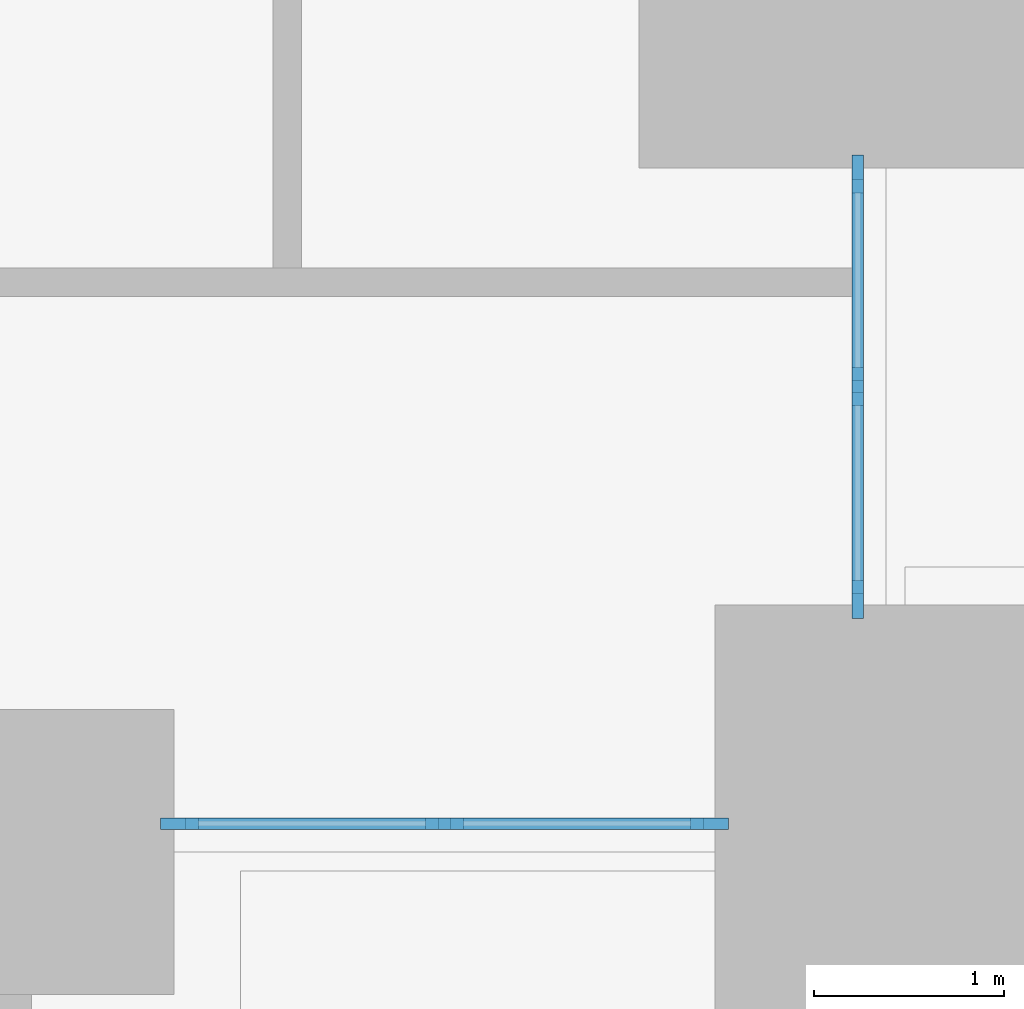
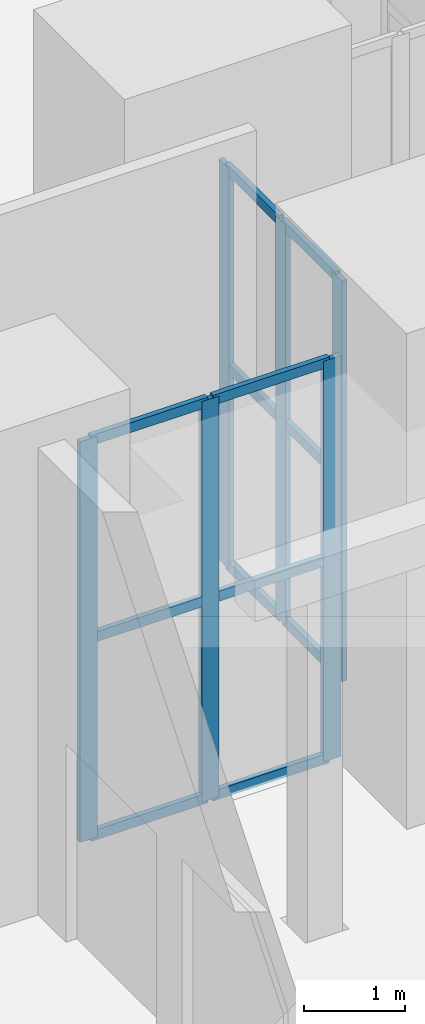
# One storey, part 4 of 47: 18 members, 2 elements without a shape of their own.
"""IFC4 building model written with IfcOpenShell, lengths in metres."""

from ifc_helpers import new_model, si_unit, direction, frame, origin, origin_2d, place, context, subcontext, project, spatial, rectangle, extrude, material, material_profile, profile_set, type_object, element, aggregate, save


model = new_model("IFC4")

# Units and contexts
model_context = context("Model", 3, precision=1e-05, world=origin(), true_north=direction((0.0, 1.0)))
body_context = subcontext(model_context, "Body", "Model", "MODEL_VIEW")
ifc_project = project(units=[si_unit("LENGTHUNIT", "METRE"), si_unit("AREAUNIT", "SQUARE_METRE"), si_unit("VOLUMEUNIT", "CUBIC_METRE"), si_unit("PLANEANGLEUNIT", "RADIAN"), si_unit("MASSUNIT", "GRAM", prefix="KILO")], contexts=[model_context])

# Site, building, storey
site_placement = place(None, origin())
site = spatial("IfcSite", under=ifc_project, at=site_placement, CompositionType="ELEMENT")
building_placement = place(site_placement, origin())
building = spatial("IfcBuilding", under=site, at=building_placement, Name="Hunhe Ridgeline Campus", CompositionType="ELEMENT")
storey_placement = place(building_placement, origin())
storey = spatial("IfcBuildingStorey", under=building, at=storey_placement, Name="L00", CompositionType="ELEMENT", Elevation=0.0)

# Curtain wall, members
ifc_material_1 = material(Name="Aluminium and glass", Category="aluminium")
curtain_wall_type = type_object("IfcCurtainWallType", Name="Podium curtain wall CW-2", PredefinedType="NOTDEFINED", material=ifc_material_1)
curtain_wall_1_placement = place(storey_placement, origin())
curtain_wall_1 = element("IfcCurtainWall", 1, at=curtain_wall_1_placement, inside=storey, type_object=curtain_wall_type, Name="L00 podium curtain wall 1", PredefinedType="NOTDEFINED")
ifc_material_2 = material(Name="Aluminium", Category="aluminium")
ifc_material_profile_1 = material_profile(ifc_material_2, rectangle(XDim=0.06005859375, YDim=0.199951171875, at=origin_2d()))
ifc_profile_set_1 = profile_set([ifc_material_profile_1], Name="Aluminium")
member_type_1 = type_object("IfcMemberType", Name="CW-2 mullion 60x200", PredefinedType="MULLION", material=ifc_profile_set_1)
member_1_placement = place(storey_placement, frame((90.780029296875, 54.14990234375, 0.0), z_axis=(0.0, 0.0, 1.0), x_axis=(0.0, 1.0, 0.0)))
member_1 = element("IfcMember", 2, at=member_1_placement, type_object=member_type_1, Name="CW2 mullion 1", PredefinedType="MULLION", context=body_context, shape_type="SweptSolid", body=[
    extrude(rectangle(XDim=0.06005859375, YDim=0.199951171875, at=origin_2d()), origin(), (0.0, 0.0, 1.0), 4.85009765625),
])
member_2_placement = place(storey_placement, frame((92.175048828125, 54.14990234375, 0.0), z_axis=(0.0, 0.0, 1.0), x_axis=(0.0, 1.0, 0.0)))
member_2 = element("IfcMember", 3, at=member_2_placement, type_object=member_type_1, Name="CW2 mullion 2", PredefinedType="MULLION", context=body_context, shape_type="SweptSolid", body=[
    extrude(rectangle(XDim=0.06005859375, YDim=0.199951171875, at=origin_2d()), origin(), (0.0, 0.0, 1.0), 4.85009765625),
])
member_3_placement = place(storey_placement, frame((93.570068359375, 54.14990234375, 0.0), z_axis=(0.0, 0.0, 1.0), x_axis=(0.0, 1.0, 0.0)))
member_3 = element("IfcMember", 4, at=member_3_placement, type_object=member_type_1, Name="CW2 mullion 3", PredefinedType="MULLION", context=body_context, shape_type="SweptSolid", body=[
    extrude(rectangle(XDim=0.06005859375, YDim=0.199951171875, at=origin_2d()), origin(), (0.0, 0.0, 1.0), 4.85009765625),
])

curtain_wall_2_placement = place(storey_placement, origin())
curtain_wall_2 = element("IfcCurtainWall", 5, at=curtain_wall_2_placement, inside=storey, type_object=curtain_wall_type, Name="L00 podium curtain wall 2", PredefinedType="NOTDEFINED")
member_4_placement = place(storey_placement, frame((94.35009765625, 55.330078125, 0.0), z_axis=(0.0, 0.0, 1.0), x_axis=(-1.0, 0.0, 0.0)))
member_4 = element("IfcMember", 6, at=member_4_placement, type_object=member_type_1, Name="CW2 mullion 1", PredefinedType="MULLION", context=body_context, shape_type="SweptSolid", body=[
    extrude(rectangle(XDim=0.06005859375, YDim=0.199951171875, at=origin_2d()), origin(), (0.0, 0.0, 1.0), 4.85009765625),
])
member_5_placement = place(storey_placement, frame((94.35009765625, 56.449951171875, 0.0), z_axis=(0.0, 0.0, 1.0), x_axis=(-1.0, 0.0, 0.0)))
member_5 = element("IfcMember", 7, at=member_5_placement, type_object=member_type_1, Name="CW2 mullion 2", PredefinedType="MULLION", context=body_context, shape_type="SweptSolid", body=[
    extrude(rectangle(XDim=0.06005859375, YDim=0.199951171875, at=origin_2d()), origin(), (0.0, 0.0, 1.0), 4.85009765625),
])
member_6_placement = place(storey_placement, frame((94.35009765625, 57.570068359375, 0.0), z_axis=(0.0, 0.0, 1.0), x_axis=(-1.0, 0.0, 0.0)))
member_6 = element("IfcMember", 8, at=member_6_placement, type_object=member_type_1, Name="CW2 mullion 3", PredefinedType="MULLION", context=body_context, shape_type="SweptSolid", body=[
    extrude(rectangle(XDim=0.06005859375, YDim=0.199951171875, at=origin_2d()), origin(), (0.0, 0.0, 1.0), 4.85009765625),
])

# Member
ifc_material_profile_2 = material_profile(ifc_material_2, rectangle(XDim=0.06005859375, YDim=0.1201171875, at=origin_2d()))
ifc_profile_set_2 = profile_set([ifc_material_profile_2], Name="Aluminium")
member_type_2 = type_object("IfcMemberType", Name="CW-2 transom 60x120", PredefinedType="USERDEFINED", material=ifc_profile_set_2)
member_7_placement = place(storey_placement, frame((90.81005859375, 54.14990234375, 0.030029296875), z_axis=(1.0, 0.0, 0.0), x_axis=(0.0, 1.0, 0.0)))
member_7 = element("IfcMember", 9, at=member_7_placement, type_object=member_type_2, Name="CW2 transom 1.1", ObjectType="TRANSOM", PredefinedType="USERDEFINED", context=body_context, shape_type="SweptSolid", body=[
    extrude(rectangle(XDim=0.06005859375, YDim=0.1201171875, at=origin_2d()), origin(), (0.0, 0.0, 1.0), 1.3349609375),
])

member_8_placement = place(storey_placement, frame((90.81005859375, 54.14990234375, 2.425048828125), z_axis=(1.0, 0.0, 0.0), x_axis=(0.0, 1.0, 0.0)))
member_8 = element("IfcMember", 10, at=member_8_placement, type_object=member_type_2, Name="CW2 transom 1.2", ObjectType="TRANSOM", PredefinedType="USERDEFINED", context=body_context, shape_type="SweptSolid", body=[
    extrude(rectangle(XDim=0.06005859375, YDim=0.1201171875, at=origin_2d()), origin(), (0.0, 0.0, 1.0), 1.3349609375),
])

member_9_placement = place(storey_placement, frame((90.81005859375, 54.14990234375, 4.820068359375), z_axis=(1.0, 0.0, 0.0), x_axis=(0.0, 1.0, 0.0)))
member_9 = element("IfcMember", 11, at=member_9_placement, type_object=member_type_2, Name="CW2 transom 1.3", ObjectType="TRANSOM", PredefinedType="USERDEFINED", context=body_context, shape_type="SweptSolid", body=[
    extrude(rectangle(XDim=0.06005859375, YDim=0.1201171875, at=origin_2d()), origin(), (0.0, 0.0, 1.0), 1.3349609375),
])

member_10_placement = place(storey_placement, frame((92.205078125, 54.14990234375, 0.030029296875), z_axis=(1.0, 0.0, 0.0), x_axis=(0.0, 1.0, 0.0)))
member_10 = element("IfcMember", 12, at=member_10_placement, type_object=member_type_2, Name="CW2 transom 2.1", ObjectType="TRANSOM", PredefinedType="USERDEFINED", context=body_context, shape_type="SweptSolid", body=[
    extrude(rectangle(XDim=0.06005859375, YDim=0.1201171875, at=origin_2d()), origin(), (0.0, 0.0, 1.0), 1.3349609375),
])

member_11_placement = place(storey_placement, frame((92.205078125, 54.14990234375, 2.425048828125), z_axis=(1.0, 0.0, 0.0), x_axis=(0.0, 1.0, 0.0)))
member_11 = element("IfcMember", 13, at=member_11_placement, type_object=member_type_2, Name="CW2 transom 2.2", ObjectType="TRANSOM", PredefinedType="USERDEFINED", context=body_context, shape_type="SweptSolid", body=[
    extrude(rectangle(XDim=0.06005859375, YDim=0.1201171875, at=origin_2d()), origin(), (0.0, 0.0, 1.0), 1.3349609375),
])

member_12_placement = place(storey_placement, frame((92.205078125, 54.14990234375, 4.820068359375), z_axis=(1.0, 0.0, 0.0), x_axis=(0.0, 1.0, 0.0)))
member_12 = element("IfcMember", 14, at=member_12_placement, type_object=member_type_2, Name="CW2 transom 2.3", ObjectType="TRANSOM", PredefinedType="USERDEFINED", context=body_context, shape_type="SweptSolid", body=[
    extrude(rectangle(XDim=0.06005859375, YDim=0.1201171875, at=origin_2d()), origin(), (0.0, 0.0, 1.0), 1.3349609375),
])

aggregate(curtain_wall_1, [member_1, member_2, member_3, member_7, member_8, member_9, member_10, member_11, member_12])

member_13_placement = place(storey_placement, frame((94.35009765625, 55.360107421875, 0.030029296875), z_axis=(0.0, 1.0, 0.0), x_axis=(-1.0, 0.0, 0.0)))
member_13 = element("IfcMember", 15, at=member_13_placement, type_object=member_type_2, Name="CW2 transom 1.1", ObjectType="TRANSOM", PredefinedType="USERDEFINED", context=body_context, shape_type="SweptSolid", body=[
    extrude(rectangle(XDim=0.06005859375, YDim=0.1201171875, at=origin_2d()), origin(), (0.0, 0.0, 1.0), 1.059814453125),
])

member_14_placement = place(storey_placement, frame((94.35009765625, 55.360107421875, 2.425048828125), z_axis=(0.0, 1.0, 0.0), x_axis=(-1.0, 0.0, 0.0)))
member_14 = element("IfcMember", 16, at=member_14_placement, type_object=member_type_2, Name="CW2 transom 1.2", ObjectType="TRANSOM", PredefinedType="USERDEFINED", context=body_context, shape_type="SweptSolid", body=[
    extrude(rectangle(XDim=0.06005859375, YDim=0.1201171875, at=origin_2d()), origin(), (0.0, 0.0, 1.0), 1.059814453125),
])

member_15_placement = place(storey_placement, frame((94.35009765625, 55.360107421875, 4.820068359375), z_axis=(0.0, 1.0, 0.0), x_axis=(-1.0, 0.0, 0.0)))
member_15 = element("IfcMember", 17, at=member_15_placement, type_object=member_type_2, Name="CW2 transom 1.3", ObjectType="TRANSOM", PredefinedType="USERDEFINED", context=body_context, shape_type="SweptSolid", body=[
    extrude(rectangle(XDim=0.06005859375, YDim=0.1201171875, at=origin_2d()), origin(), (0.0, 0.0, 1.0), 1.059814453125),
])

member_16_placement = place(storey_placement, frame((94.35009765625, 56.47998046875, 0.030029296875), z_axis=(0.0, 1.0, 0.0), x_axis=(-1.0, 0.0, 0.0)))
member_16 = element("IfcMember", 18, at=member_16_placement, type_object=member_type_2, Name="CW2 transom 2.1", ObjectType="TRANSOM", PredefinedType="USERDEFINED", context=body_context, shape_type="SweptSolid", body=[
    extrude(rectangle(XDim=0.06005859375, YDim=0.1201171875, at=origin_2d()), origin(), (0.0, 0.0, 1.0), 1.06005859375),
])

member_17_placement = place(storey_placement, frame((94.35009765625, 56.47998046875, 2.425048828125), z_axis=(0.0, 1.0, 0.0), x_axis=(-1.0, 0.0, 0.0)))
member_17 = element("IfcMember", 19, at=member_17_placement, type_object=member_type_2, Name="CW2 transom 2.2", ObjectType="TRANSOM", PredefinedType="USERDEFINED", context=body_context, shape_type="SweptSolid", body=[
    extrude(rectangle(XDim=0.06005859375, YDim=0.1201171875, at=origin_2d()), origin(), (0.0, 0.0, 1.0), 1.06005859375),
])

member_18_placement = place(storey_placement, frame((94.35009765625, 56.47998046875, 4.820068359375), z_axis=(0.0, 1.0, 0.0), x_axis=(-1.0, 0.0, 0.0)))
member_18 = element("IfcMember", 20, at=member_18_placement, type_object=member_type_2, Name="CW2 transom 2.3", ObjectType="TRANSOM", PredefinedType="USERDEFINED", context=body_context, shape_type="SweptSolid", body=[
    extrude(rectangle(XDim=0.06005859375, YDim=0.1201171875, at=origin_2d()), origin(), (0.0, 0.0, 1.0), 1.06005859375),
])

aggregate(curtain_wall_2, [member_4, member_5, member_6, member_13, member_14, member_15, member_16, member_17, member_18])

save(model, "model.ifc")
